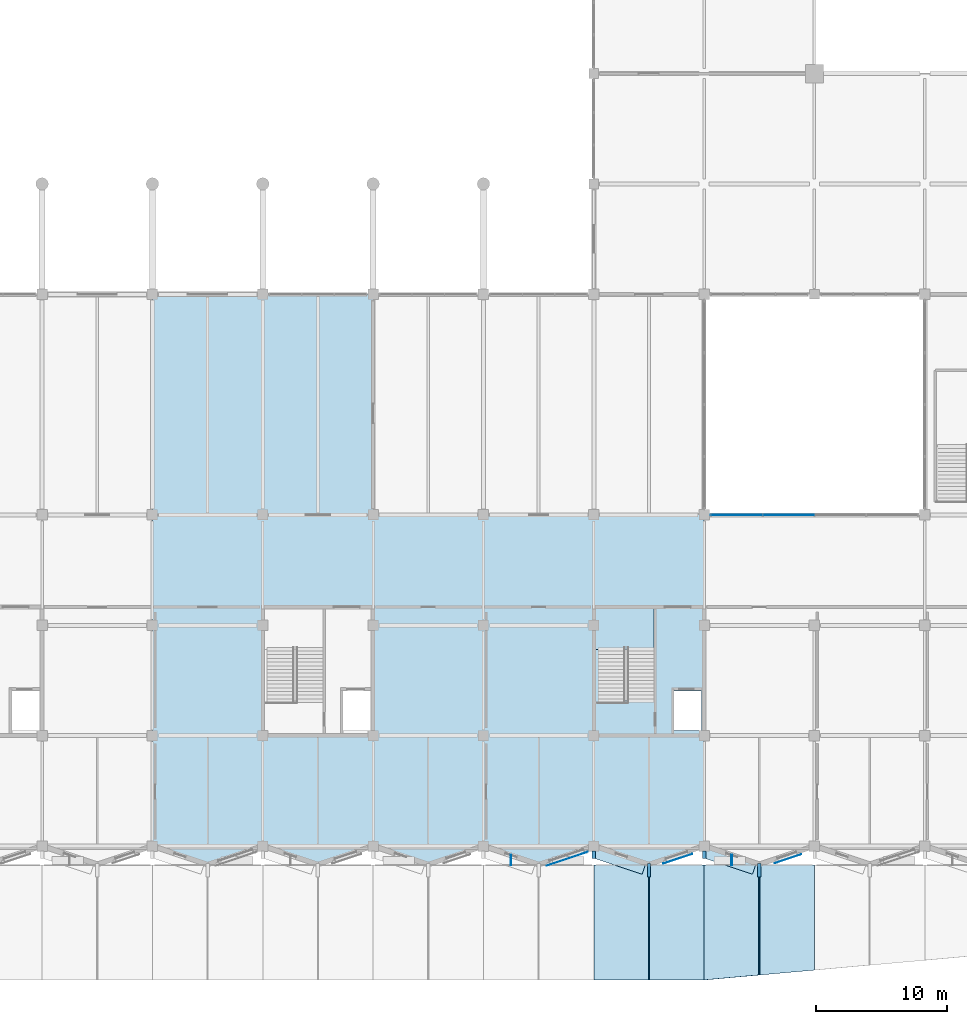
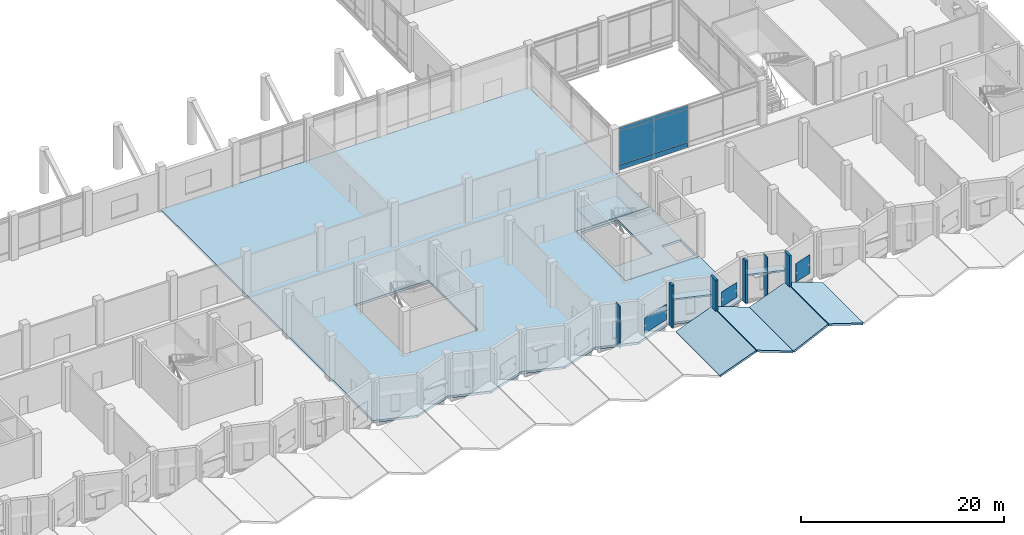
# One storey, part 41 of 72: 17 plates, 7 slabs, 2 elements without a shape of their own.
"""IFC4 building model written with IfcOpenShell, lengths in metres."""

import ifcopenshell
import ifcopenshell.guid

model = None  # the IFC model being written
_history = None  # IfcOwnerHistory: only IFC2X3 demands one
_inside = {}  # id of a spatial element -> (the spatial element, [elements in it])
_under = {}  # id of a project, library or spatial element -> (it, [spatial elements below it])
_declared = {}  # id of a project -> (the project, [libraries it declares])
_typed = {}  # id of a type object -> (the type object, [elements of that type])
_made_of = {}  # id of a material, layer set ... -> (it, [elements and type objects made of it])


def new_model(schema):
    """Start an empty IFC model of exactly this schema.

    Asked for "IFC4X3", IfcOpenShell would pick the latest addendum, in which some entities
    have other attributes; the version numbers below select the first issue.
    IFC2X3 requires an IfcOwnerHistory on every rooted entity: one is made here for all.
    """
    global model, _history
    if schema == "IFC4X3":
        model = ifcopenshell.file(schema_version=(4, 3, 0, 0))
    else:
        model = ifcopenshell.file(schema=schema)
    _inside.clear()
    _under.clear()
    _declared.clear()
    _typed.clear()
    _made_of.clear()
    _history = None
    if model.schema == "IFC2X3":
        org = make("IfcOrganization", Name="unknown")
        user = make(
            "IfcPersonAndOrganization",
            ThePerson=make("IfcPerson", FamilyName="unknown"),
            TheOrganization=org,
        )
        app = make(
            "IfcApplication",
            ApplicationDeveloper=org,
            Version="unknown",
            ApplicationFullName="unknown",
            ApplicationIdentifier="unknown",
        )
        _history = make(
            "IfcOwnerHistory",
            OwningUser=user,
            OwningApplication=app,
            ChangeAction="ADDED",
            CreationDate=0,
        )
    return model


def make(cls, **values):
    """One entity of the class cls with the attributes given. An attribute that is None is left unset."""
    return model.create_entity(
        cls, **{name: value for name, value in values.items() if value is not None}
    )


def rooted(cls, **values):
    """An entity with a GlobalId (a new one), such as an element, a storey or a relation."""
    return make(cls, GlobalId=ifcopenshell.guid.new(), OwnerHistory=_history, **values)


def si_unit(unit_type, name, prefix=None):
    """IfcSIUnit, for example si_unit("LENGTHUNIT", "METRE", prefix="MILLI")."""
    return make("IfcSIUnit", UnitType=unit_type, Prefix=prefix, Name=name)


def assignment(units):
    """IfcUnitAssignment: the units of a project."""
    return None if units is None else make("IfcUnitAssignment", Units=units)


def point(xyz):
    """IfcCartesianPoint."""
    return None if xyz is None else make("IfcCartesianPoint", Coordinates=xyz)


def direction(xyz):
    """IfcDirection."""
    return None if xyz is None else make("IfcDirection", DirectionRatios=xyz)


def frame(location, z_axis=None, x_axis=None):
    """IfcAxis2Placement3D, a coordinate frame: its origin and axes. An axis left out is left unset."""
    return make(
        "IfcAxis2Placement3D",
        Location=point(location),
        Axis=direction(z_axis),
        RefDirection=direction(x_axis),
    )


def frame_2d(location, x_axis=None):
    """IfcAxis2Placement2D, a coordinate frame in the plane: its origin and x axis."""
    return make(
        "IfcAxis2Placement2D", Location=point(location), RefDirection=direction(x_axis)
    )


def origin():
    """The frame at (0, 0, 0) with its axes left unset."""
    return frame((0.0, 0.0, 0.0))


def place(relative_to, where):
    """IfcLocalPlacement: puts the frame where relative to a parent placement (None: the world)."""
    return make(
        "IfcLocalPlacement", PlacementRelTo=relative_to, RelativePlacement=where
    )


def context(
    kind, dimensions, precision=None, world=None, true_north=None, identifier=None
):
    """IfcGeometricRepresentationContext, for example the 3D "Model" context."""
    return make(
        "IfcGeometricRepresentationContext",
        ContextIdentifier=identifier,
        ContextType=kind,
        CoordinateSpaceDimension=dimensions,
        Precision=precision,
        WorldCoordinateSystem=world,
        TrueNorth=true_north,
    )


def subcontext(parent, identifier, kind, view, scale=None):
    """IfcGeometricRepresentationSubContext, for example "Body" below "Model"."""
    return make(
        "IfcGeometricRepresentationSubContext",
        ContextIdentifier=identifier,
        ContextType=kind,
        ParentContext=parent,
        TargetScale=scale,
        TargetView=view,
    )


def project(units=None, contexts=None):
    """IfcProject with its units and contexts."""
    return rooted(
        "IfcProject",
        Name="project",
        RepresentationContexts=contexts,
        UnitsInContext=assignment(units),
    )


def spatial(cls, under=None, at=None, **own):
    """A site, building, storey or space (cls), placed at a placement, below another one or the project."""
    s = rooted(cls, ObjectPlacement=at, **own)
    if under is not None:
        _under.setdefault(under.id(), (under, []))[1].append(s)
    return s


def polyline(points):
    """IfcPolyline through the points."""
    return make("IfcPolyline", Points=[point(p) for p in points])


def profile(cls, at=None, kind="AREA", **sizes):
    """A parametric profile (cls). Its sizes go by their IFC names, for example OverallWidth=200.0."""
    return make(cls, ProfileType=kind, Position=at, **sizes)


def rectangle(**sizes):
    """IfcRectangleProfileDef."""
    return profile("IfcRectangleProfileDef", **sizes)


def outline(outer, holes=None, kind="AREA"):
    """IfcArbitraryClosedProfileDef: a profile drawn as a closed curve; with holes, ...WithVoids."""
    if holes is None:
        return make("IfcArbitraryClosedProfileDef", ProfileType=kind, OuterCurve=outer)
    return make(
        "IfcArbitraryProfileDefWithVoids",
        ProfileType=kind,
        OuterCurve=outer,
        InnerCurves=holes,
    )


def extrude(swept, where, along, depth):
    """IfcExtrudedAreaSolid: the profile swept, set in the frame where, extruded along a direction by depth."""
    return make(
        "IfcExtrudedAreaSolid",
        SweptArea=swept,
        Position=where,
        ExtrudedDirection=direction(along),
        Depth=depth,
    )


def shape(context_of_items, identifier, shape_type, items):
    """IfcShapeRepresentation: the items that make up one representation, for example the "Body"."""
    return make(
        "IfcShapeRepresentation",
        ContextOfItems=context_of_items,
        RepresentationIdentifier=identifier,
        RepresentationType=shape_type,
        Items=items,
    )


def material(Name=None, Category=None):
    """IfcMaterial."""
    return make("IfcMaterial", Name=Name, Category=Category)


def layer(
    of_material, thickness, ventilated=None, Name=None, Category=None, Priority=None
):
    """IfcMaterialLayer: one layer of a wall or slab, of a material (None: an air gap)."""
    return make(
        "IfcMaterialLayer",
        Material=of_material,
        LayerThickness=thickness,
        IsVentilated=ventilated,
        Name=Name,
        Category=Category,
        Priority=Priority,
    )


def layer_set(layers, Name=None):
    """IfcMaterialLayerSet."""
    return make("IfcMaterialLayerSet", MaterialLayers=layers, LayerSetName=Name)


def made_of(thing, what):
    """Note that an element or type object is made of a material, layer set ...; save() writes the relation."""
    if what is not None:
        _made_of.setdefault(what.id(), (what, []))[1].append(thing)
    return thing


def type_object(cls, material=None, **own):
    """A type object (cls), such as IfcWallType, which elements share."""
    return made_of(rooted(cls, **own), material)


def element(
    cls,
    number,
    at=None,
    inside=None,
    cuts=None,
    type_object=None,
    material=None,
    context=None,
    identifier="Body",
    shape_type=None,
    held_by="IfcProductDefinitionShape",
    body=None,
    shapes=None,
    **own,
):
    """One element of the class cls, such as IfcWall. Its Tag is "e" and its number.

    at: its placement. inside: the storey or other place that contains it. cuts: it is an
    opening in that element (IfcRelVoidsElement). A single representation is given by context,
    identifier, shape_type and body (its items); several are given by shapes. held_by: the class
    of the entity that holds the representations. save() writes the other relations.
    """
    e = rooted(cls, Tag="e%d" % number, ObjectPlacement=at, **own)
    if body is not None:
        shapes = [shape(context, identifier, shape_type, body)]
    if shapes is not None:
        e.Representation = make(held_by, Representations=shapes)
    if inside is not None:
        _inside.setdefault(inside.id(), (inside, []))[1].append(e)
    if cuts is not None:
        rooted(
            "IfcRelVoidsElement", RelatingBuildingElement=cuts, RelatedOpeningElement=e
        )
    if type_object is not None:
        _typed.setdefault(type_object.id(), (type_object, []))[1].append(e)
    return made_of(e, material)


def aggregate(whole, parts):
    """IfcRelAggregates: a whole, such as a stair, and the parts it consists of."""
    return rooted("IfcRelAggregates", RelatingObject=whole, RelatedObjects=parts)


def save(model, path):
    """Write the relations noted so far, then the file.

    IfcRelAggregates (storeys below a building ...), IfcRelContainedInSpatialStructure (elements
    in a storey), IfcRelDefinesByType, IfcRelAssociatesMaterial and IfcRelDeclares: one each for
    every whole, place, type object, material and project.
    """
    for whole, parts in _under.values():
        aggregate(whole, parts)
    for where, things in _inside.values():
        rooted(
            "IfcRelContainedInSpatialStructure",
            RelatedElements=things,
            RelatingStructure=where,
        )
    for kind, things in _typed.values():
        rooted("IfcRelDefinesByType", RelatedObjects=things, RelatingType=kind)
    for what, things in _made_of.values():
        rooted("IfcRelAssociatesMaterial", RelatedObjects=things, RelatingMaterial=what)
    for by, libraries in _declared.values():
        rooted("IfcRelDeclares", RelatingContext=by, RelatedDefinitions=libraries)
    model.write(path)


model = new_model("IFC4")

# Units and contexts
model_context = context("Model", 3, precision=1e-05, world=origin(), true_north=direction((0.0, 1.0)))
body_context = subcontext(model_context, "Body", "Model", "MODEL_VIEW")
ifc_project = project(units=[si_unit("LENGTHUNIT", "METRE"), si_unit("AREAUNIT", "SQUARE_METRE"), si_unit("VOLUMEUNIT", "CUBIC_METRE"), si_unit("PLANEANGLEUNIT", "RADIAN"), si_unit("MASSUNIT", "GRAM", prefix="KILO")], contexts=[model_context])

# Site, building, storey
site_placement = place(None, origin())
site = spatial("IfcSite", under=ifc_project, at=site_placement, CompositionType="ELEMENT")
building_placement = place(site_placement, origin())
building = spatial("IfcBuilding", under=site, at=building_placement, Name="Qawsi Khor Wholesale Market", CompositionType="ELEMENT")
storey_placement = place(building_placement, frame((0.0, 0.0, 6.0)))
storey = spatial("IfcBuildingStorey", under=building, at=storey_placement, Name="L01", CompositionType="ELEMENT", Elevation=6.0)

# Slabs
ifc_material_1 = material(Name="Concrete C40/50", Category="concrete")
ifc_layer_1 = layer(ifc_material_1, 0.22998046875, Name="Concrete C40/50")
ifc_layer_set_1 = layer_set([ifc_layer_1], Name="Concrete C40/50")
slab_type_1 = type_object("IfcSlabType", Name="Folded Concrete Canopy Slab 230 C40/50", PredefinedType="ROOF", material=ifc_layer_set_1)
for number, where, z_axis, x_axis, name in (
    (1, (142.800048828125, -10.199951171875, -0.14990234375), (-0.353429429104, 0.0, 0.935461190346), (0.935461190346, 0.0, 0.353429429104), "Boulevard Origami Canopy Facet 17A"),
    (2, (147.044921875, -10.199951171875, 1.419921875), (0.353429429104, 0.0, 0.935461190346), (0.935461190346, 0.0, -0.353429429104), "Boulevard Origami Canopy Facet 17B"),
):
    element("IfcSlab", number, at=place(storey_placement, frame(where, z_axis=z_axis, x_axis=x_axis)), inside=storey, type_object=slab_type_1, Name=name, PredefinedType="ROOF", context=body_context, shape_type="SweptSolid", body=[
        extrude(outline(polyline([(0.0, 0.0), (4.441690729402894, 0.0), (4.441690729402894, 8.75), (0.0, 8.75), (0.0, 0.0)])), origin(), (0.0, 0.0, -1.0), 0.22998046875),
    ])
slab_1_placement = place(storey_placement, frame((151.199951171875, -10.199951171875, -0.14990234375), z_axis=(-0.353429429104, 0.0, 0.935461190346), x_axis=(0.932144938499, 0.084128011372, 0.352176505937)))
element("IfcSlab", 3, at=slab_1_placement, inside=storey, type_object=slab_type_1, Name="Boulevard Origami Canopy Facet 18A", PredefinedType="ROOF", context=body_context, shape_type="SweptSolid", body=[
    extrude(outline(polyline([(0.0, 0.0), (4.457492740954674, 0.0), (5.162064836192089, 8.34531024963199), (0.7361200995017764, 8.718980857824468), (0.0, 0.0)])), origin(), (0.0, 0.0, -1.0), 0.22998046875),
])
slab_2_placement = place(storey_placement, frame((155.445068359375, -9.824951171875, 1.419921875), z_axis=(0.353429429104, 0.0, 0.935461190346), x_axis=(0.932144938499, 0.084128011372, -0.352176505937)))
element("IfcSlab", 4, at=slab_2_placement, inside=storey, type_object=slab_type_1, Name="Boulevard Origami Canopy Facet 18B", PredefinedType="ROOF", context=body_context, shape_type="SweptSolid", body=[
    extrude(outline(polyline([(0.0, 0.0), (4.457492740954674, -6.938893903907228e-18), (5.130516831927727, 7.971639641439514), (0.7045720952374146, 8.345310249631991), (0.0, 0.0)])), origin(), (0.0, 0.0, -1.0), 0.22998046875),
])

# Curtain wall, plates
ifc_material_2 = material(Name="Aluminium Anodised Bronze", Category="aluminium")
ifc_layer_2 = layer(ifc_material_2, 0.179931640625, Name="Aluminium Anodised Bronze")
ifc_layer_set_2 = layer_set([ifc_layer_2], Name="Aluminium Anodised Bronze")
curtain_wall_type = type_object("IfcCurtainWallType", Name="Atrium Full-Height Curtain Wall CW-02", PredefinedType="NOTDEFINED", material=ifc_layer_set_2)
curtain_wall_placement = place(storey_placement, origin())
curtain_wall = element("IfcCurtainWall", 5, at=curtain_wall_placement, inside=storey, type_object=curtain_wall_type, Name="Curtain wall CW-CW-02-L01-036", PredefinedType="NOTDEFINED")
ifc_material_3 = material(Name="Anodised Aluminium Spandrel", Category="aluminium")
ifc_layer_3 = layer(ifc_material_3, 0.06494140625, Name="Anodised Aluminium Spandrel")
ifc_layer_set_3 = layer_set([ifc_layer_3], Name="Anodised Aluminium Spandrel")
plate_type_1 = type_object("IfcPlateType", Name="Insulated Spandrel Panel CW-02 65mm", PredefinedType="CURTAIN_PANEL", material=ifc_layer_set_3)
plate_1_placement = place(storey_placement, frame((151.695068359375, 25.199951171875, 0.0048828125), z_axis=(0.0, 0.0, 1.0), x_axis=(1.0, 0.0, 0.0)))
plate_1 = element("IfcPlate", 6, at=plate_1_placement, type_object=plate_type_1, Name="Curtain panel CW-CW-02-L01-036-P0_00", PredefinedType="CURTAIN_PANEL", context=body_context, shape_type="SweptSolid", body=[
    extrude(rectangle(XDim=3.952392578125, YDim=0.06494140625, at=frame_2d((1.97607421875, 0.0))), origin(), (0.0, 0.0, 1.0), 0.590087890625),
])
plate_2_placement = place(storey_placement, frame((155.6474609375, 25.199951171875, 0.0048828125), z_axis=(0.0, 0.0, 1.0), x_axis=(1.0, 0.0, 0.0)))
plate_2 = element("IfcPlate", 7, at=plate_2_placement, type_object=plate_type_1, Name="Curtain panel CW-CW-02-L01-036-P0_01", PredefinedType="CURTAIN_PANEL", context=body_context, shape_type="SweptSolid", body=[
    extrude(rectangle(XDim=3.95263671875, YDim=0.06494140625, at=frame_2d((1.976318359375, 0.0))), origin(), (0.0, 0.0, 1.0), 0.590087890625),
])

# Plates
ifc_material_4 = material(Name="Perforated Bronze-Anodised Aluminium", Category="aluminium")
ifc_layer_4 = layer(ifc_material_4, 0.014892578125, Name="Perforated Bronze-Anodised Aluminium")
ifc_layer_set_4 = layer_set([ifc_layer_4], Name="Perforated Bronze-Anodised Aluminium")
plate_type_2 = type_object("IfcPlateType", Name="Perforated Bronze Mashrabiya Screen 15mm", PredefinedType="SHEET", material=ifc_layer_set_4)
plate_3_placement = place(storey_placement, frame((142.35595703125, -0.448486328125, 0.85009765625), z_axis=(0.0, 0.0, 1.0), x_axis=(-0.948690696143, -0.316205570874, 0.0)))
element("IfcPlate", 8, at=plate_3_placement, inside=storey, type_object=plate_type_2, Name="Solar mashrabiya screen 014", PredefinedType="SHEET", context=body_context, shape_type="SweptSolid", body=[
    extrude(rectangle(XDim=3.300048828125, YDim=0.014892578125, at=frame_2d((1.64990234375, 0.0))), origin(), (0.0, 0.0, 1.0), 1.849853515625),
])
plate_4_placement = place(storey_placement, frame((150.291259765625, -0.603515625, 0.85009765625), z_axis=(0.0, 0.0, 1.0), x_axis=(-0.948725380391, -0.316101490982, 0.0)))
element("IfcPlate", 9, at=plate_4_placement, inside=storey, type_object=plate_type_2, Name="Solar mashrabiya screen 015", PredefinedType="SHEET", context=body_context, shape_type="SweptSolid", body=[
    extrude(rectangle(XDim=2.320068359375, YDim=0.014892578125, at=frame_2d((1.16015625, 0.0))), origin(), (0.0, 0.0, 1.0), 1.7998046875),
])
plate_5_placement = place(storey_placement, frame((158.5869140625, -0.63818359375, 0.85009765625), z_axis=(0.0, 0.0, 1.0), x_axis=(-0.948694922148, -0.316192891587, 0.0)))
element("IfcPlate", 10, at=plate_5_placement, inside=storey, type_object=plate_type_2, Name="Solar mashrabiya screen 016", PredefinedType="SHEET", context=body_context, shape_type="SweptSolid", body=[
    extrude(rectangle(XDim=2.10009765625, YDim=0.014892578125, at=frame_2d((1.050048828125, 0.0))), origin(), (0.0, 0.0, 1.0), 2.25),
])
ifc_layer_5 = layer(ifc_material_1, 0.260009765625, Name="Concrete C40/50")
ifc_layer_set_5 = layer_set([ifc_layer_5], Name="Concrete C40/50")
plate_type_3 = type_object("IfcPlateType", Name="Sculpted Concrete Solar Buttress Fin 260", PredefinedType="SHEET", material=ifc_layer_set_5)
plate_6_placement = place(storey_placement, frame((142.800048828125, -0.949951171875, 0.0), z_axis=(0.0, 0.0, 1.0), x_axis=(0.0, 1.0, 0.0)))
element("IfcPlate", 11, at=plate_6_placement, inside=storey, type_object=plate_type_3, Name="Boulevard concrete solar buttress fin L01-28", PredefinedType="SHEET", context=body_context, shape_type="SweptSolid", body=[
    extrude(rectangle(XDim=0.570068359375, YDim=0.260009765625, at=frame_2d((0.28515625, 0.0))), origin(), (0.0, 0.0, 1.0), 5.1201171875),
])
plate_7_placement = place(storey_placement, frame((147.0, -2.35009765625, 0.0), z_axis=(0.0, 0.0, 1.0), x_axis=(0.0, 1.0, 0.0)))
element("IfcPlate", 12, at=plate_7_placement, inside=storey, type_object=plate_type_3, Name="Boulevard concrete solar buttress fin L01-29", PredefinedType="SHEET", context=body_context, shape_type="SweptSolid", body=[
    extrude(rectangle(XDim=1.0, YDim=0.260009765625, at=frame_2d((0.5, 0.0))), origin(), (0.0, 0.0, 1.0), 5.1201171875),
])
plate_8_placement = place(storey_placement, frame((151.199951171875, -0.949951171875, 0.0), z_axis=(0.0, 0.0, 1.0), x_axis=(0.0, 1.0, 0.0)))
element("IfcPlate", 13, at=plate_8_placement, inside=storey, type_object=plate_type_3, Name="Boulevard concrete solar buttress fin L01-30", PredefinedType="SHEET", context=body_context, shape_type="SweptSolid", body=[
    extrude(rectangle(XDim=0.570068359375, YDim=0.260009765625, at=frame_2d((0.28515625, 0.0))), origin(), (0.0, 0.0, 1.0), 5.1201171875),
])
plate_9_placement = place(storey_placement, frame((155.39990234375, -2.35009765625, 0.0), z_axis=(0.0, 0.0, 1.0), x_axis=(0.0, 1.0, 0.0)))
element("IfcPlate", 14, at=plate_9_placement, inside=storey, type_object=plate_type_3, Name="Boulevard concrete solar buttress fin L01-31", PredefinedType="SHEET", context=body_context, shape_type="SweptSolid", body=[
    extrude(rectangle(XDim=1.0, YDim=0.260009765625, at=frame_2d((0.5, 0.0))), origin(), (0.0, 0.0, 1.0), 5.1201171875),
])
ifc_layer_6 = layer(ifc_material_1, 0.949951171875, Name="Concrete C40/50")
ifc_layer_set_6 = layer_set([ifc_layer_6], Name="Concrete C40/50")
plate_type_4 = type_object("IfcPlateType", Name="Sculpted Concrete Sun-Hood Canopy 950", PredefinedType="SHEET", material=ifc_layer_set_6)
for number, where, z_axis, x_axis, name in (
    (15, (142.91064453125, -0.45849609375, 3.25), (0.0, 0.0, 1.0), (0.94867708111, -0.316246416226, 0.0), "Sculpted concrete sun-hood L01-29"),
    (16, (151.310791015625, -0.45849609375, 3.25), (0.0, 0.0, 1.0), (0.94867708111, -0.316246416226, 0.0), "Sculpted concrete sun-hood L01-31"),
):
    element("IfcPlate", number, at=place(storey_placement, frame(where, z_axis=z_axis, x_axis=x_axis)), inside=storey, type_object=plate_type_4, Name=name, PredefinedType="SHEET", context=body_context, shape_type="SweptSolid", body=[
        extrude(rectangle(XDim=3.92724609375, YDim=0.949951171875, at=frame_2d((1.963623046875, 0.0))), origin(), (0.0, 0.0, 1.0), 0.18994140625),
    ])

# Plate
ifc_material_5 = material(Name="Tempered Low-E Solar Glass", Category="glass")
ifc_layer_7 = layer(ifc_material_5, 0.031982421875, Name="Tempered Low-E Solar Glass")
ifc_layer_set_7 = layer_set([ifc_layer_7], Name="Tempered Low-E Solar Glass")
plate_type_5 = type_object("IfcPlateType", Name="Solar Double-Glazed Unit CW-02 32mm", PredefinedType="CURTAIN_PANEL", material=ifc_layer_set_7)
plate_10_placement = place(storey_placement, frame((151.695068359375, 25.199951171875, 0.60498046875), z_axis=(0.0, 0.0, 1.0), x_axis=(1.0, 0.0, 0.0)))
plate_10 = element("IfcPlate", 17, at=plate_10_placement, type_object=plate_type_5, Name="Curtain panel CW-CW-02-L01-036-P1_00", PredefinedType="CURTAIN_PANEL", context=body_context, shape_type="SweptSolid", body=[
    extrude(rectangle(XDim=3.952392578125, YDim=0.031982421875, at=frame_2d((1.97607421875, 0.0))), origin(), (0.0, 0.0, 1.0), 4.06005859375),
])

plate_11_placement = place(storey_placement, frame((155.6474609375, 25.199951171875, 0.60498046875), z_axis=(0.0, 0.0, 1.0), x_axis=(1.0, 0.0, 0.0)))
plate_11 = element("IfcPlate", 18, at=plate_11_placement, type_object=plate_type_5, Name="Curtain panel CW-CW-02-L01-036-P1_01", PredefinedType="CURTAIN_PANEL", context=body_context, shape_type="SweptSolid", body=[
    extrude(rectangle(XDim=3.95263671875, YDim=0.031982421875, at=frame_2d((1.976318359375, 0.0))), origin(), (0.0, 0.0, 1.0), 4.06005859375),
])

plate_12_placement = place(storey_placement, frame((151.695068359375, 25.199951171875, 4.675048828125), z_axis=(0.0, 0.0, 1.0), x_axis=(1.0, 0.0, 0.0)))
plate_12 = element("IfcPlate", 19, at=plate_12_placement, type_object=plate_type_5, Name="Curtain panel CW-CW-02-L01-036-P2_00", PredefinedType="CURTAIN_PANEL", context=body_context, shape_type="SweptSolid", body=[
    extrude(rectangle(XDim=3.952392578125, YDim=0.031982421875, at=frame_2d((1.97607421875, 0.0))), origin(), (0.0, 0.0, 1.0), 0.43994140625),
])

plate_13_placement = place(storey_placement, frame((155.6474609375, 25.199951171875, 4.675048828125), z_axis=(0.0, 0.0, 1.0), x_axis=(1.0, 0.0, 0.0)))
plate_13 = element("IfcPlate", 20, at=plate_13_placement, type_object=plate_type_5, Name="Curtain panel CW-CW-02-L01-036-P2_01", PredefinedType="CURTAIN_PANEL", context=body_context, shape_type="SweptSolid", body=[
    extrude(rectangle(XDim=3.95263671875, YDim=0.031982421875, at=frame_2d((1.976318359375, 0.0))), origin(), (0.0, 0.0, 1.0), 0.43994140625),
])

aggregate(curtain_wall, [plate_1, plate_2, plate_10, plate_11, plate_12, plate_13])

# Stair, slab
stair_type = type_object("IfcStairType", Name="Exit Stair L01-L02 5400 Rise", PredefinedType="HALF_TURN_STAIR", material=ifc_material_1)
stair_placement = place(storey_placement, origin())
stair = element("IfcStair", 21, at=stair_placement, inside=storey, type_object=stair_type, Name="Stair ST-05 L01", PredefinedType="HALF_TURN_STAIR")
ifc_layer_8 = layer(ifc_material_1, 0.179931640625, Name="Concrete C40/50")
ifc_layer_set_8 = layer_set([ifc_layer_8], Name="Concrete C40/50")
slab_type_2 = type_object("IfcSlabType", Name="Stair Half-Landing Slab 180 C40/50", PredefinedType="LANDING", material=ifc_layer_set_8)
slab_3_placement = place(storey_placement, frame((0.0, 0.0, 2.52001953125)))
slab_3 = element("IfcSlab", 22, at=slab_3_placement, type_object=slab_type_2, Name="ST-05-L01 landing 1", PredefinedType="LANDING", context=body_context, shape_type="SweptSolid", body=[
    extrude(outline(polyline([(142.85009765625, 14.9599609375), (147.3798828125, 14.9599609375), (147.3798828125, 18.14990234375), (142.85009765625, 18.14990234375), (142.85009765625, 14.9599609375)])), origin(), (0.0, 0.0, 1.0), 0.179931640625),
])
aggregate(stair, [slab_3])

# Slabs
ifc_layer_9 = layer(ifc_material_1, 0.280029296875, Name="Concrete C40/50")
ifc_layer_set_9 = layer_set([ifc_layer_9], Name="Concrete C40/50")
slab_type_3 = type_object("IfcSlabType", Name="Suspended Floor Slab 280 C40/50", PredefinedType="FLOOR", material=ifc_layer_set_9)
slab_4_placement = place(storey_placement, frame((0.0, 0.0, -0.280029296875)))
element("IfcSlab", 23, at=slab_4_placement, inside=storey, type_object=slab_type_3, Name="Core floor slab L01 C05", PredefinedType="FLOOR", context=body_context, shape_type="SweptSolid", body=[
    extrude(outline(polyline([(142.800048828125, 18.199951171875), (151.199951171875, 18.199951171875), (151.199951171875, 8.39990234375), (142.800048828125, 8.39990234375), (142.800048828125, 18.199951171875)]), holes=[polyline([(148.919921875, 8.800048828125), (151.0, 8.800048828125), (151.0, 11.800048828125), (148.919921875, 11.800048828125), (148.919921875, 8.800048828125)]), polyline([(143.139892578125, 11.080078125), (147.3798828125, 11.080078125), (147.3798828125, 17.860107421875), (143.139892578125, 17.860107421875), (143.139892578125, 11.080078125)])]), origin(), (0.0, 0.0, 1.0), 0.280029296875),
])
slab_5_placement = place(storey_placement, frame((0.0, 0.0, -0.280029296875)))
element("IfcSlab", 24, at=slab_5_placement, inside=storey, type_object=slab_type_3, Name="SLB-L01-SWING-3", PredefinedType="FLOOR", context=body_context, shape_type="SweptSolid", body=[
    extrude(outline(polyline([(109.199951171875, 42.0), (151.199951171875, 42.0), (151.199951171875, 18.199951171875), (142.800048828125, 18.199951171875), (142.800048828125, 8.39990234375), (151.199951171875, 8.39990234375), (151.199951171875, 0.0), (147.0, -1.39990234375), (142.800048828125, 0.0), (138.60009765625, -1.39990234375), (134.39990234375, 0.0), (130.199951171875, -1.39990234375), (126.0, 0.0), (121.800048828125, -1.39990234375), (117.60009765625, 0.0), (113.39990234375, -1.39990234375), (109.199951171875, 0.0), (109.199951171875, 42.0)]), holes=[polyline([(126.0, 18.199951171875), (117.60009765625, 18.199951171875), (117.60009765625, 8.39990234375), (126.0, 8.39990234375), (126.0, 18.199951171875)])]), origin(), (0.0, 0.0, 1.0), 0.280029296875),
])

# Plates
ifc_layer_10 = layer(ifc_material_4, 0.044921875, Name="Perforated Bronze-Anodised Aluminium")
ifc_layer_set_10 = layer_set([ifc_layer_10], Name="Perforated Bronze-Anodised Aluminium")
plate_type_6 = type_object("IfcPlateType", Name="Vertical Sculpted Sun-Fin Plate 45mm", PredefinedType="SHEET", material=ifc_layer_set_10)
for number, where, z_axis, x_axis, name in (
    (25, (136.5, -1.449951171875, 0.0), (0.0, 0.0, 1.0), (0.0, 1.0, 0.0), "Sculpted vertical sun-fin L01-26"),
    (26, (153.300048828125, -1.449951171875, 0.0), (0.0, 0.0, 1.0), (0.0, 1.0, 0.0), "Sculpted vertical sun-fin L01-30"),
):
    element("IfcPlate", number, at=place(storey_placement, frame(where, z_axis=z_axis, x_axis=x_axis)), inside=storey, type_object=plate_type_6, Name=name, PredefinedType="SHEET", context=body_context, shape_type="SweptSolid", body=[
        extrude(rectangle(XDim=0.800048828125, YDim=0.044921875, at=frame_2d((0.39990234375, 0.0))), origin(), (0.0, 0.0, 1.0), 5.1201171875),
    ])

save(model, "model.ifc")
